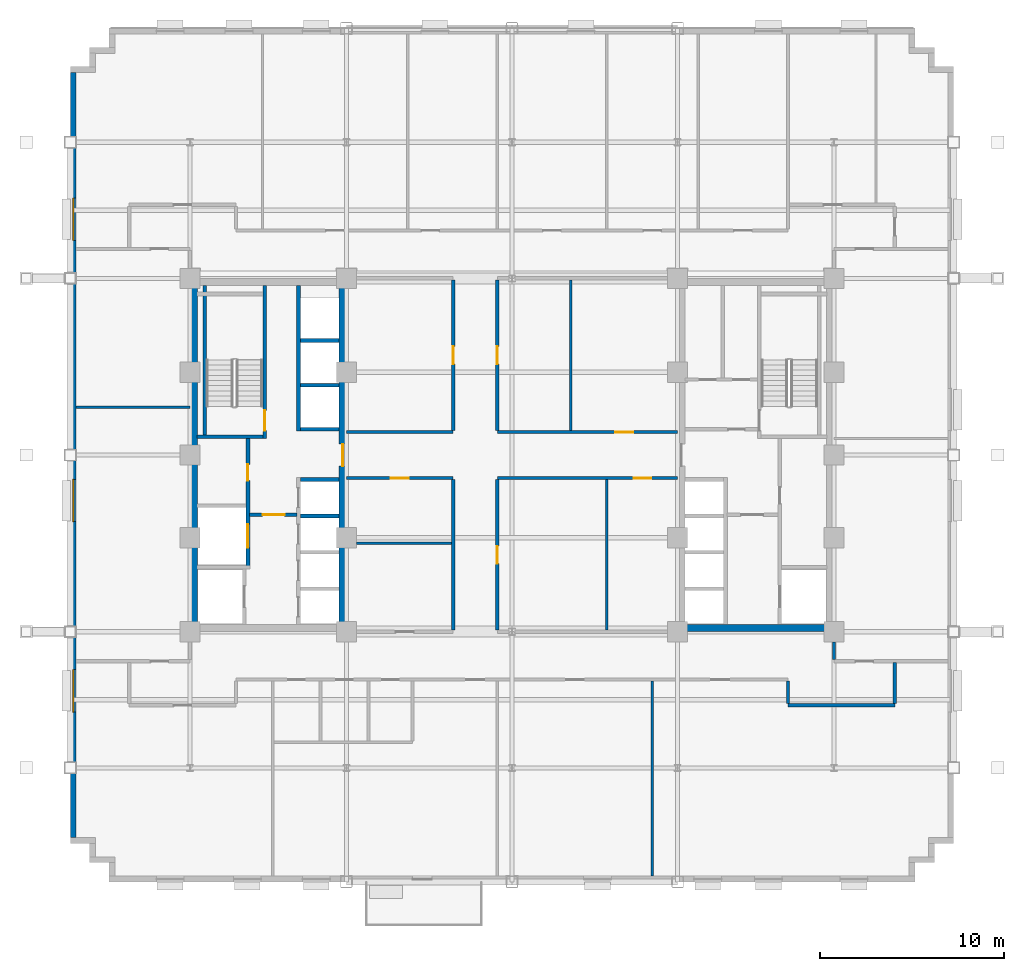
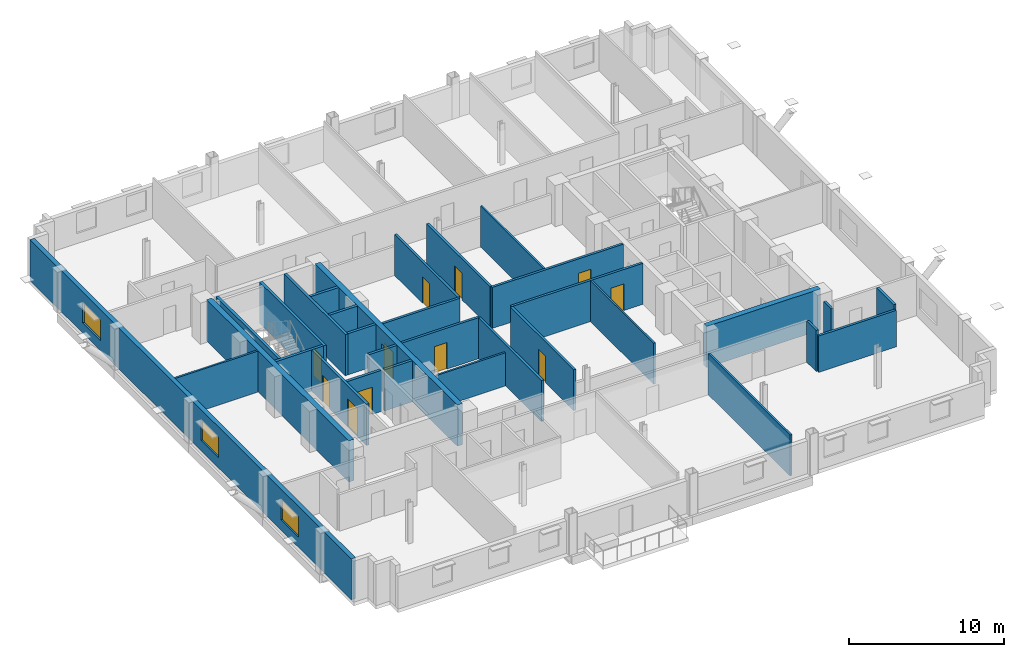
# One storey, part 7 of 14: 32 walls, 11 doors, 3 windows, 14 openings.
"""IFC4 building model written with IfcOpenShell, lengths in metres."""

from ifc_helpers import new_model, si_unit, direction, frame, frame_2d, origin, place, context, subcontext, project, spatial, rectangle, extrude, source, transform, mapped, material, layer, layer_set, type_object, type_shapes, element, fill, save


model = new_model("IFC4")

# Units and contexts
model_context = context("Model", 3, precision=1e-05, world=origin(), true_north=direction((0.0, 1.0)))
body_context = subcontext(model_context, "Body", "Model", "MODEL_VIEW")
ifc_project = project(units=[si_unit("LENGTHUNIT", "METRE"), si_unit("AREAUNIT", "SQUARE_METRE"), si_unit("VOLUMEUNIT", "CUBIC_METRE"), si_unit("PLANEANGLEUNIT", "RADIAN"), si_unit("MASSUNIT", "GRAM", prefix="KILO")], contexts=[model_context])

# Site, building, storey
site_placement = place(None, origin())
site = spatial("IfcSite", under=ifc_project, at=site_placement, CompositionType="ELEMENT")
building_placement = place(site_placement, origin())
building = spatial("IfcBuilding", under=site, at=building_placement, Name="Nuvemarco Arch Tower", CompositionType="ELEMENT")
storey_placement = place(building_placement, frame((0.0, 0.0, 112.89990234375)))
storey = spatial("IfcBuildingStorey", under=building, at=storey_placement, Name="L29", CompositionType="ELEMENT", Elevation=112.89990234375)

# Wall, openings, windows
ifc_material_1 = material(Name="Precast concrete C45/55", Category="concrete")
ifc_layer_1 = layer(ifc_material_1, 0.320068359375, Name="EW-MID-320")
ifc_layer_set_1 = layer_set([ifc_layer_1], Name="Precast concrete C45/55")
wall_type_1 = type_object("IfcWallType", Name="EW-MID-320", PredefinedType="STANDARD", material=ifc_layer_set_1)
wall_1_placement = place(storey_placement, frame((-23.840087890625, -20.783935546875, 0.0), z_axis=(0.0, 0.0, 1.0), x_axis=(0.0, 1.0, 0.0)))
wall_1 = element("IfcWall", 1, at=wall_1_placement, inside=storey, type_object=wall_type_1, Name="L29 exterior precast facade wall 16", PredefinedType="STANDARD", context=body_context, shape_type="SweptSolid", body=[
    extrude(rectangle(XDim=41.56787109375, YDim=0.320068359375, at=frame_2d((20.783935546875, 0.0))), origin(), (0.0, 0.0, 1.0), 3.239990234375),
])
opening_1_placement = place(wall_1_placement, frame((6.819091796875, 0.0, 0.800048828125)))
opening_1 = element("IfcOpeningElement", 2, at=opening_1_placement, cuts=wall_1, Name="Opening WN-10", PredefinedType="OPENING", context=body_context, shape_type="SweptSolid", body=[
    extrude(rectangle(XDim=2.300048828125, YDim=1.6201171875, at=frame_2d((1.14990234375, 0.81005859375))), frame((0.0, 0.169921875, 0.0), z_axis=(0.0, -1.0, 0.0), x_axis=(1.0, 0.0, 0.0)), (0.0, 0.0, 1.0), 0.340087890625),
])
opening_2_placement = place(wall_1_placement, frame((17.160888671875, 0.0, 0.800048828125)))
opening_2 = element("IfcOpeningElement", 3, at=opening_2_placement, cuts=wall_1, Name="Opening WN-10", PredefinedType="OPENING", context=body_context, shape_type="SweptSolid", body=[
    extrude(rectangle(XDim=2.300048828125, YDim=1.6201171875, at=frame_2d((1.14990234375, 0.81005859375))), frame((0.0, 0.169921875, 0.0), z_axis=(0.0, -1.0, 0.0), x_axis=(1.0, 0.0, 0.0)), (0.0, 0.0, 1.0), 0.340087890625),
])
opening_3_placement = place(wall_1_placement, frame((32.448974609375, 0.0, 0.800048828125)))
opening_3 = element("IfcOpeningElement", 4, at=opening_3_placement, cuts=wall_1, Name="Opening WN-10", PredefinedType="OPENING", context=body_context, shape_type="SweptSolid", body=[
    extrude(rectangle(XDim=2.300048828125, YDim=1.6201171875, at=frame_2d((1.14990234375, 0.81005859375))), frame((0.0, 0.169921875, 0.0), z_axis=(0.0, -1.0, 0.0), x_axis=(1.0, 0.0, 0.0)), (0.0, 0.0, 1.0), 0.340087890625),
])
ifc_material_2 = material(Name="Insulated solar-control glass", Category="glass")
window_type = type_object("IfcWindowType", Name="WN-STEP-2300x1700", PartitioningType="DOUBLE_PANEL_VERTICAL", PredefinedType="WINDOW", material=ifc_material_2)
shared_shape_1 = source(origin(), body_context, "Body", "SweptSolid", [
    extrude(rectangle(XDim=2.300048828125, YDim=1.6201171875, at=frame_2d((1.14990234375, 0.81005859375))), frame((0.0, 0.030029296875, 0.0), z_axis=(0.0, -1.0, 0.0), x_axis=(1.0, 0.0, 0.0)), (0.0, 0.0, 1.0), 0.06005859375),
])
type_shapes(window_type, [shared_shape_1])
window_1_placement = place(opening_1_placement, origin())
window_1 = element("IfcWindow", 5, at=window_1_placement, inside=storey, type_object=window_type, Name="L29 punched facade window 2", OverallHeight=1.6201171875, OverallWidth=2.300048828125, PartitioningType="SINGLE_PANEL", PredefinedType="WINDOW", context=body_context, shape_type="MappedRepresentation", body=[
    mapped(shared_shape_1, transform((0.0, 0.0, 0.0), scale=1.0)),
])
fill(opening_1, window_1)
window_2_placement = place(opening_2_placement, origin())
window_2 = element("IfcWindow", 6, at=window_2_placement, inside=storey, type_object=window_type, Name="L29 punched facade window 4", OverallHeight=1.6201171875, OverallWidth=2.300048828125, PartitioningType="SINGLE_PANEL", PredefinedType="WINDOW", context=body_context, shape_type="MappedRepresentation", body=[
    mapped(shared_shape_1, transform((0.0, 0.0, 0.0), scale=1.0)),
])
fill(opening_2, window_2)
window_3_placement = place(opening_3_placement, origin())
window_3 = element("IfcWindow", 7, at=window_3_placement, inside=storey, type_object=window_type, Name="L29 punched facade window 7", OverallHeight=1.6201171875, OverallWidth=2.300048828125, PartitioningType="SINGLE_PANEL", PredefinedType="WINDOW", context=body_context, shape_type="MappedRepresentation", body=[
    mapped(shared_shape_1, transform((0.0, 0.0, 0.0), scale=1.0)),
])
fill(opening_3, window_3)

# Wall
ifc_material_3 = material(Name="Concrete C60/75", Category="concrete")
ifc_layer_2 = layer(ifc_material_3, 0.39990234375, Name="WL-CORE-400")
ifc_layer_set_2 = layer_set([ifc_layer_2], Name="Concrete C60/75")
wall_type_2 = type_object("IfcWallType", Name="WL-CORE-400", PredefinedType="SHEAR", material=ifc_layer_set_2)
wall_2_placement = place(storey_placement, frame((-17.300048828125, -9.205078125, 0.0), z_axis=(0.0, 0.0, 1.0), x_axis=(0.0, 1.0, 0.0)))
element("IfcWall", 8, at=wall_2_placement, inside=storey, type_object=wall_type_2, Name="L29 W-core shear wall W", PredefinedType="SHEAR", context=body_context, shape_type="SweptSolid", body=[
    extrude(rectangle(XDim=18.41015625, YDim=0.39990234375, at=frame_2d((9.205078125, 0.0))), origin(), (0.0, 0.0, 1.0), 3.25),
])

# Wall, opening, door
wall_3_placement = place(storey_placement, frame((-9.199951171875, -9.205078125, 0.0), z_axis=(0.0, 0.0, 1.0), x_axis=(0.0, 1.0, 0.0)))
wall_3 = element("IfcWall", 9, at=wall_3_placement, inside=storey, type_object=wall_type_2, Name="L29 W-core shear wall E", PredefinedType="SHEAR", context=body_context, shape_type="SweptSolid", body=[
    extrude(rectangle(XDim=18.41015625, YDim=0.39990234375, at=frame_2d((9.205078125, 0.0))), origin(), (0.0, 0.0, 1.0), 3.25),
])
opening_4_placement = place(wall_3_placement, frame((8.60498046875, 0.0, 0.0)))
opening_4 = element("IfcOpeningElement", 10, at=opening_4_placement, cuts=wall_3, Name="Opening FD-2", PredefinedType="OPENING", context=body_context, shape_type="SweptSolid", body=[
    extrude(rectangle(XDim=1.199951171875, YDim=2.14990234375, at=frame_2d((0.60009765625, 1.074951171875))), frame((0.0, 0.2099609375, 0.0), z_axis=(0.0, -1.0, 0.0), x_axis=(1.0, 0.0, 0.0)), (0.0, 0.0, 1.0), 0.419921875),
])
ifc_material_4 = material(Name="Anodised steel fire door", Category="steel")
door_type_1 = type_object("IfcDoorType", Name="DR-FFLOB-FD", OperationType="NOTDEFINED", PredefinedType="DOOR", material=ifc_material_4)
shared_shape_2 = source(origin(), body_context, "Body", "SweptSolid", [
    extrude(rectangle(XDim=1.199951171875, YDim=2.14990234375, at=frame_2d((0.60009765625, 1.074951171875))), frame((0.0, 0.02490234375, 0.0), z_axis=(0.0, -1.0, 0.0), x_axis=(1.0, 0.0, 0.0)), (0.0, 0.0, 1.0), 0.050048828125),
])
type_shapes(door_type_1, [shared_shape_2])
door_1_placement = place(opening_4_placement, origin())
door_1 = element("IfcDoor", 11, at=door_1_placement, inside=storey, type_object=door_type_1, Name="L29 door FD-L29-WCORE-E", OperationType="SINGLE_SWING_LEFT", OverallHeight=2.14990234375, OverallWidth=1.199951171875, PredefinedType="DOOR", context=body_context, shape_type="MappedRepresentation", body=[
    mapped(shared_shape_2, transform((0.0, 0.0, 0.0), scale=1.0)),
])
fill(opening_4, door_1)

# Walls
wall_4_placement = place(storey_placement, frame((9.0, -9.39990234375, 0.0), z_axis=(0.0, 0.0, 1.0), x_axis=(1.0, 0.0, 0.0)))
element("IfcWall", 12, at=wall_4_placement, inside=storey, type_object=wall_type_2, Name="L29 E-core shear wall S", PredefinedType="SHEAR", context=body_context, shape_type="SweptSolid", body=[
    extrude(rectangle(XDim=8.5, YDim=0.39990234375, at=frame_2d((4.25, 0.0))), origin(), (0.0, 0.0, 1.0), 3.25),
])
ifc_material_5 = material(Name="Fire-rated gypsum drywall partition")
ifc_layer_3 = layer(ifc_material_5, 0.179931640625, Name="WL-CORR-180")
ifc_layer_set_3 = layer_set([ifc_layer_3], Name="Fire-rated gypsum drywall partition")
wall_type_3 = type_object("IfcWallType", Name="WL-CORR-180", PredefinedType="PARTITIONING", material=ifc_layer_set_3)
wall_5_placement = place(storey_placement, frame((15.0, -13.60009765625, 0.0), z_axis=(0.0, 0.0, 1.0), x_axis=(1.0, 0.0, 0.0)))
element("IfcWall", 13, at=wall_5_placement, inside=storey, type_object=wall_type_3, Name="L29 interior wall IW-L29-003", PredefinedType="PARTITIONING", context=body_context, shape_type="SweptSolid", body=[
    extrude(rectangle(XDim=5.800048828125, YDim=0.179931640625, at=frame_2d((2.89990234375, 0.0))), origin(), (0.0, 0.0, 1.0), 2.878173828125),
])

# Wall, opening, door
wall_6_placement = place(storey_placement, frame((-9.0, -1.25, 0.0), z_axis=(0.0, 0.0, 1.0), x_axis=(1.0, 0.0, 0.0)))
wall_6 = element("IfcWall", 14, at=wall_6_placement, inside=storey, type_object=wall_type_3, Name="L29 interior wall IW-L29-011", PredefinedType="PARTITIONING", context=body_context, shape_type="SweptSolid", body=[
    extrude(rectangle(XDim=5.800048828125, YDim=0.179931640625, at=frame_2d((2.89990234375, 0.0))), origin(), (0.0, 0.0, 1.0), 3.239990234375),
])
opening_5_placement = place(wall_6_placement, frame((2.419921875, 0.0, 0.0)))
opening_5 = element("IfcOpeningElement", 15, at=opening_5_placement, cuts=wall_6, Name="Opening FD-5", PredefinedType="OPENING", context=body_context, shape_type="SweptSolid", body=[
    extrude(rectangle(XDim=0.9599609375, YDim=2.10009765625, at=frame_2d((0.47998046875, 1.050048828125))), frame((0.0, 0.099853515625, 0.0), z_axis=(0.0, -1.0, 0.0), x_axis=(1.0, 0.0, 0.0)), (0.0, 0.0, 1.0), 0.199951171875),
])
ifc_material_6 = material(Name="Timber fire door", Category="wood")
door_type_2 = type_object("IfcDoorType", Name="DR-CORR-FD", OperationType="NOTDEFINED", PredefinedType="DOOR", material=ifc_material_6)
shared_shape_3 = source(origin(), body_context, "Body", "SweptSolid", [
    extrude(rectangle(XDim=0.9599609375, YDim=2.10009765625, at=frame_2d((0.47998046875, 1.050048828125))), frame((0.0, 0.02490234375, 0.0), z_axis=(0.0, -1.0, 0.0), x_axis=(1.0, 0.0, 0.0)), (0.0, 0.0, 1.0), 0.050048828125),
])
type_shapes(door_type_2, [shared_shape_3])
door_2_placement = place(opening_5_placement, origin())
door_2 = element("IfcDoor", 16, at=door_2_placement, inside=storey, type_object=door_type_2, Name="L29 door DR-L29-C_SW1", OperationType="SINGLE_SWING_LEFT", OverallHeight=2.10009765625, OverallWidth=0.9599609375, PredefinedType="DOOR", context=body_context, shape_type="MappedRepresentation", body=[
    mapped(shared_shape_3, transform((0.0, 0.0, 0.0), scale=1.0)),
])
fill(opening_5, door_2)

wall_7_placement = place(storey_placement, frame((-0.800048828125, -1.25, 0.0), z_axis=(0.0, 0.0, 1.0), x_axis=(1.0, 0.0, 0.0)))
wall_7 = element("IfcWall", 17, at=wall_7_placement, inside=storey, type_object=wall_type_3, Name="L29 interior wall IW-L29-012", PredefinedType="PARTITIONING", context=body_context, shape_type="SweptSolid", body=[
    extrude(rectangle(XDim=9.800048828125, YDim=0.179931640625, at=frame_2d((4.89990234375, 0.0))), origin(), (0.0, 0.0, 1.0), 3.239990234375),
])
opening_6_placement = place(wall_7_placement, frame((7.419921875, 0.0, 0.0)))
opening_6 = element("IfcOpeningElement", 18, at=opening_6_placement, cuts=wall_7, Name="Opening FD-5", PredefinedType="OPENING", context=body_context, shape_type="SweptSolid", body=[
    extrude(rectangle(XDim=0.9599609375, YDim=2.10009765625, at=frame_2d((0.47998046875, 1.050048828125))), frame((0.0, 0.099853515625, 0.0), z_axis=(0.0, -1.0, 0.0), x_axis=(1.0, 0.0, 0.0)), (0.0, 0.0, 1.0), 0.199951171875),
])
door_3_placement = place(opening_6_placement, origin())
door_3 = element("IfcDoor", 19, at=door_3_placement, inside=storey, type_object=door_type_2, Name="L29 door DR-L29-C_SE2", OperationType="SINGLE_SWING_LEFT", OverallHeight=2.10009765625, OverallWidth=0.9599609375, PredefinedType="DOOR", context=body_context, shape_type="MappedRepresentation", body=[
    mapped(shared_shape_3, transform((0.0, 0.0, 0.0), scale=1.0)),
])
fill(opening_6, door_3)

# Wall
wall_8_placement = place(storey_placement, frame((-9.0, 1.25, 0.0), z_axis=(0.0, 0.0, 1.0), x_axis=(1.0, 0.0, 0.0)))
element("IfcWall", 20, at=wall_8_placement, inside=storey, type_object=wall_type_3, Name="L29 interior wall IW-L29-014", PredefinedType="PARTITIONING", context=body_context, shape_type="SweptSolid", body=[
    extrude(rectangle(XDim=5.800048828125, YDim=0.179931640625, at=frame_2d((2.89990234375, 0.0))), origin(), (0.0, 0.0, 1.0), 3.239990234375),
])

# Wall, opening, door
wall_9_placement = place(storey_placement, frame((-0.800048828125, 1.25, 0.0), z_axis=(0.0, 0.0, 1.0), x_axis=(1.0, 0.0, 0.0)))
wall_9 = element("IfcWall", 21, at=wall_9_placement, inside=storey, type_object=wall_type_3, Name="L29 interior wall IW-L29-015", PredefinedType="PARTITIONING", context=body_context, shape_type="SweptSolid", body=[
    extrude(rectangle(XDim=9.800048828125, YDim=0.179931640625, at=frame_2d((4.89990234375, 0.0))), origin(), (0.0, 0.0, 1.0), 3.239990234375),
])
opening_7_placement = place(wall_9_placement, frame((6.419921875, 0.0, 0.0)))
opening_7 = element("IfcOpeningElement", 22, at=opening_7_placement, cuts=wall_9, Name="Opening FD-5", PredefinedType="OPENING", context=body_context, shape_type="SweptSolid", body=[
    extrude(rectangle(XDim=0.9599609375, YDim=2.10009765625, at=frame_2d((0.47998046875, 1.050048828125))), frame((0.0, 0.099853515625, 0.0), z_axis=(0.0, -1.0, 0.0), x_axis=(1.0, 0.0, 0.0)), (0.0, 0.0, 1.0), 0.199951171875),
])
door_4_placement = place(opening_7_placement, origin())
door_4 = element("IfcDoor", 23, at=door_4_placement, inside=storey, type_object=door_type_2, Name="L29 door DR-L29-C_NE2", OperationType="SINGLE_SWING_RIGHT", OverallHeight=2.10009765625, OverallWidth=0.9599609375, PredefinedType="DOOR", context=body_context, shape_type="MappedRepresentation", body=[
    mapped(shared_shape_3, transform((0.0, 0.0, 0.0), scale=1.0)),
])
fill(opening_7, door_4)

# Wall
wall_10_placement = place(storey_placement, frame((-3.199951171875, -9.513916015625, 0.0), z_axis=(0.0, 0.0, 1.0), x_axis=(0.0, 1.0, 0.0)))
element("IfcWall", 24, at=wall_10_placement, inside=storey, type_object=wall_type_3, Name="L29 interior wall IW-L29-037", PredefinedType="PARTITIONING", context=body_context, shape_type="SweptSolid", body=[
    extrude(rectangle(XDim=8.177978515625, YDim=0.179931640625, at=frame_2d((4.0888671875, 0.0))), origin(), (0.0, 0.0, 1.0), 3.239990234375),
])

# Wall, opening, door
wall_11_placement = place(storey_placement, frame((-3.199951171875, 1.3359375, 0.0), z_axis=(0.0, 0.0, 1.0), x_axis=(0.0, 1.0, 0.0)))
wall_11 = element("IfcWall", 25, at=wall_11_placement, inside=storey, type_object=wall_type_3, Name="L29 interior wall IW-L29-038", PredefinedType="PARTITIONING", context=body_context, shape_type="SweptSolid", body=[
    extrude(rectangle(XDim=8.177978515625, YDim=0.179931640625, at=frame_2d((4.0888671875, 0.0))), origin(), (0.0, 0.0, 1.0), 3.239990234375),
])
opening_8_placement = place(wall_11_placement, frame((3.60888671875, 0.0, 0.0)))
opening_8 = element("IfcOpeningElement", 26, at=opening_8_placement, cuts=wall_11, Name="Opening FD-5", PredefinedType="OPENING", context=body_context, shape_type="SweptSolid", body=[
    extrude(rectangle(XDim=0.9599609375, YDim=2.10009765625, at=frame_2d((0.47998046875, 1.050048828125))), frame((0.0, 0.099853515625, 0.0), z_axis=(0.0, -1.0, 0.0), x_axis=(1.0, 0.0, 0.0)), (0.0, 0.0, 1.0), 0.199951171875),
])
door_5_placement = place(opening_8_placement, origin())
door_5 = element("IfcDoor", 27, at=door_5_placement, inside=storey, type_object=door_type_2, Name="L29 door DR-L29-C_NW", OperationType="SINGLE_SWING_LEFT", OverallHeight=2.10009765625, OverallWidth=0.9599609375, PredefinedType="DOOR", context=body_context, shape_type="MappedRepresentation", body=[
    mapped(shared_shape_3, transform((0.0, 0.0, 0.0), scale=1.0)),
])
fill(opening_8, door_5)

wall_12_placement = place(storey_placement, frame((-0.800048828125, -9.513916015625, 0.0), z_axis=(0.0, 0.0, 1.0), x_axis=(0.0, 1.0, 0.0)))
wall_12 = element("IfcWall", 28, at=wall_12_placement, inside=storey, type_object=wall_type_3, Name="L29 interior wall IW-L29-040", PredefinedType="PARTITIONING", context=body_context, shape_type="SweptSolid", body=[
    extrude(rectangle(XDim=8.177978515625, YDim=0.179931640625, at=frame_2d((4.0888671875, 0.0))), origin(), (0.0, 0.0, 1.0), 3.239990234375),
])
opening_9_placement = place(wall_12_placement, frame((3.60888671875, 0.0, 0.0)))
opening_9 = element("IfcOpeningElement", 29, at=opening_9_placement, cuts=wall_12, Name="Opening FD-5", PredefinedType="OPENING", context=body_context, shape_type="SweptSolid", body=[
    extrude(rectangle(XDim=0.9599609375, YDim=2.10009765625, at=frame_2d((0.47998046875, 1.050048828125))), frame((0.0, 0.099853515625, 0.0), z_axis=(0.0, -1.0, 0.0), x_axis=(1.0, 0.0, 0.0)), (0.0, 0.0, 1.0), 0.199951171875),
])
door_6_placement = place(opening_9_placement, origin())
door_6 = element("IfcDoor", 30, at=door_6_placement, inside=storey, type_object=door_type_2, Name="L29 door DR-L29-C_SE1", OperationType="SINGLE_SWING_LEFT", OverallHeight=2.10009765625, OverallWidth=0.9599609375, PredefinedType="DOOR", context=body_context, shape_type="MappedRepresentation", body=[
    mapped(shared_shape_3, transform((0.0, 0.0, 0.0), scale=1.0)),
])
fill(opening_9, door_6)

wall_13_placement = place(storey_placement, frame((-0.800048828125, 1.3359375, 0.0), z_axis=(0.0, 0.0, 1.0), x_axis=(0.0, 1.0, 0.0)))
wall_13 = element("IfcWall", 31, at=wall_13_placement, inside=storey, type_object=wall_type_3, Name="L29 interior wall IW-L29-041", PredefinedType="PARTITIONING", context=body_context, shape_type="SweptSolid", body=[
    extrude(rectangle(XDim=8.177978515625, YDim=0.179931640625, at=frame_2d((4.0888671875, 0.0))), origin(), (0.0, 0.0, 1.0), 3.239990234375),
])
opening_10_placement = place(wall_13_placement, frame((3.60888671875, 0.0, 0.0)))
opening_10 = element("IfcOpeningElement", 32, at=opening_10_placement, cuts=wall_13, Name="Opening FD-5", PredefinedType="OPENING", context=body_context, shape_type="SweptSolid", body=[
    extrude(rectangle(XDim=0.9599609375, YDim=2.10009765625, at=frame_2d((0.47998046875, 1.050048828125))), frame((0.0, 0.099853515625, 0.0), z_axis=(0.0, -1.0, 0.0), x_axis=(1.0, 0.0, 0.0)), (0.0, 0.0, 1.0), 0.199951171875),
])
door_7_placement = place(opening_10_placement, origin())
door_7 = element("IfcDoor", 33, at=door_7_placement, inside=storey, type_object=door_type_2, Name="L29 door DR-L29-C_NE1", OperationType="SINGLE_SWING_RIGHT", OverallHeight=2.10009765625, OverallWidth=0.9599609375, PredefinedType="DOOR", context=body_context, shape_type="MappedRepresentation", body=[
    mapped(shared_shape_3, transform((0.0, 0.0, 0.0), scale=1.0)),
])
fill(opening_10, door_7)

# Walls
wall_14_placement = place(storey_placement, frame((15.0, -13.513916015625, 0.0), z_axis=(0.0, 0.0, 1.0), x_axis=(0.0, 1.0, 0.0)))
element("IfcWall", 34, at=wall_14_placement, inside=storey, type_object=wall_type_3, Name="L29 interior wall IW-L29-048", PredefinedType="PARTITIONING", context=body_context, shape_type="SweptSolid", body=[
    extrude(rectangle(XDim=1.22802734375, YDim=0.179931640625, at=frame_2d((0.614013671875, 0.0))), origin(), (0.0, 0.0, 1.0), 3.239990234375),
])
wall_15_placement = place(storey_placement, frame((17.5, -11.114013671875, 0.0), z_axis=(0.0, 0.0, 1.0), x_axis=(0.0, 1.0, 0.0)))
element("IfcWall", 35, at=wall_15_placement, inside=storey, type_object=wall_type_3, Name="L29 interior wall IW-L29-050", PredefinedType="PARTITIONING", context=body_context, shape_type="SweptSolid", body=[
    extrude(rectangle(XDim=0.968017578125, YDim=0.179931640625, at=frame_2d((0.48388671875, 0.0))), origin(), (0.0, 0.0, 1.0), 2.6181640625),
])
wall_16_placement = place(storey_placement, frame((20.800048828125, -13.513916015625, 0.0), z_axis=(0.0, 0.0, 1.0), x_axis=(0.0, 1.0, 0.0)))
element("IfcWall", 36, at=wall_16_placement, inside=storey, type_object=wall_type_3, Name="L29 interior wall IW-L29-053", PredefinedType="PARTITIONING", context=body_context, shape_type="SweptSolid", body=[
    extrude(rectangle(XDim=2.22802734375, YDim=0.179931640625, at=frame_2d((1.114013671875, 0.0))), origin(), (0.0, 0.0, 1.0), 3.239990234375),
])
ifc_material_7 = material(Name="Glazed acoustic office partition")
ifc_layer_4 = layer(ifc_material_7, 0.1298828125, Name="WL-EXEC-130")
ifc_layer_set_4 = layer_set([ifc_layer_4], Name="Glazed acoustic office partition")
wall_type_4 = type_object("IfcWallType", Name="WL-EXEC-130", PredefinedType="PARTITIONING", material=ifc_layer_set_4)
for number, where, z_axis, x_axis, name in (
    (37, (3.199951171875, 1.3359375, 0.0), (0.0, 0.0, 1.0), (0.0, 1.0, 0.0), "L29 interior wall IW-L29-043"),
    (38, (5.14990234375, -9.513916015625, 0.0), (0.0, 0.0, 1.0), (0.0, 1.0, 0.0), "L29 interior wall IW-L29-044"),
):
    element("IfcWall", number, at=place(storey_placement, frame(where, z_axis=z_axis, x_axis=x_axis)), inside=storey, type_object=wall_type_4, Name=name, PredefinedType="PARTITIONING", context=body_context, shape_type="SweptSolid", body=[
        extrude(rectangle(XDim=8.177978515625, YDim=0.1298828125, at=frame_2d((4.0888671875, 0.0))), origin(), (0.0, 0.0, 1.0), 3.239990234375),
    ])
ifc_material_8 = material(Name="Gypsum plasterboard partition")
ifc_layer_5 = layer(ifc_material_8, 0.139892578125, Name="WL-ROOM-140")
ifc_layer_set_5 = layer_set([ifc_layer_5], Name="Gypsum plasterboard partition")
wall_type_5 = type_object("IfcWallType", Name="WL-ROOM-140", PredefinedType="PARTITIONING", material=ifc_layer_set_5)
wall_17_placement = place(storey_placement, frame((-8.4541015625, -4.800048828125, 0.0), z_axis=(0.0, 0.0, 1.0), x_axis=(1.0, 0.0, 0.0)))
element("IfcWall", 39, at=wall_17_placement, inside=storey, type_object=wall_type_5, Name="L29 interior wall IW-L29-010", PredefinedType="PARTITIONING", context=body_context, shape_type="SweptSolid", body=[
    extrude(rectangle(XDim=5.168212890625, YDim=0.139892578125, at=frame_2d((2.583984375, 0.0))), origin(), (0.0, 0.0, 1.0), 2.6181640625),
])
wall_18_placement = place(storey_placement, frame((-23.679931640625, 2.60009765625, 0.0), z_axis=(0.0, 0.0, 1.0), x_axis=(1.0, 0.0, 0.0)))
element("IfcWall", 40, at=wall_18_placement, inside=storey, type_object=wall_type_5, Name="L29 interior wall IW-L29-016", PredefinedType="PARTITIONING", context=body_context, shape_type="SweptSolid", body=[
    extrude(rectangle(XDim=6.179931640625, YDim=0.139892578125, at=frame_2d((3.08984375, 0.0))), origin(), (0.0, 0.0, 1.0), 3.239990234375),
])
wall_19_placement = place(storey_placement, frame((7.6298828125, -22.8798828125, 0.0), z_axis=(0.0, 0.0, 1.0), x_axis=(0.0, 1.0, 0.0)))
element("IfcWall", 41, at=wall_19_placement, inside=storey, type_object=wall_type_5, Name="L29 interior wall IW-L29-046", PredefinedType="PARTITIONING", context=body_context, shape_type="SweptSolid", body=[
    extrude(rectangle(XDim=10.593994140625, YDim=0.139892578125, at=frame_2d((5.296875, 0.0))), origin(), (0.0, 0.0, 1.0), 3.239990234375),
])

# Wall, opening, door
ifc_material_9 = material(Name="Concrete C50/60", Category="concrete")
ifc_layer_6 = layer(ifc_material_9, 0.199951171875, Name="WL-SHAFT-220")
ifc_layer_set_6 = layer_set([ifc_layer_6], Name="Concrete C50/60")
wall_type_6 = type_object("IfcWallType", Name="WL-SHAFT-220", PredefinedType="SHEAR", material=ifc_layer_set_6)
wall_20_placement = place(storey_placement, frame((-13.43994140625, 0.89990234375, 0.0), z_axis=(0.0, 0.0, 1.0), x_axis=(0.0, 1.0, 0.0)))
wall_20 = element("IfcWall", 42, at=wall_20_placement, inside=storey, type_object=wall_type_6, Name="L29 structural shaft wall SW-L29-W-ST1E", PredefinedType="SHEAR", context=body_context, shape_type="SweptSolid", body=[
    extrude(rectangle(XDim=8.30517578125, YDim=0.199951171875, at=frame_2d((4.152587890625, 0.0))), origin(), (0.0, 0.0, 1.0), 3.25),
])
opening_11_placement = place(wall_20_placement, frame((1.530029296875, 0.0, 0.0), z_axis=(0.0, 0.0, 1.0), x_axis=(-1.0, 0.0, 0.0)))
opening_11 = element("IfcOpeningElement", 43, at=opening_11_placement, cuts=wall_20, Name="Opening FD-1", PredefinedType="OPENING", context=body_context, shape_type="SweptSolid", body=[
    extrude(rectangle(XDim=1.10009765625, YDim=2.14990234375, at=frame_2d((0.550048828125, 1.074951171875))), frame((0.0, 0.10986328125, 0.0), z_axis=(0.0, -1.0, 0.0), x_axis=(1.0, 0.0, 0.0)), (0.0, 0.0, 1.0), 0.219970703125),
])
door_type_3 = type_object("IfcDoorType", Name="DR-STAIR-FD", OperationType="NOTDEFINED", PredefinedType="DOOR", material=ifc_material_4)
shared_shape_4 = source(origin(), body_context, "Body", "SweptSolid", [
    extrude(rectangle(XDim=1.10009765625, YDim=2.14990234375, at=frame_2d((0.550048828125, 1.074951171875))), frame((0.0, 0.02490234375, 0.0), z_axis=(0.0, -1.0, 0.0), x_axis=(1.0, 0.0, 0.0)), (0.0, 0.0, 1.0), 0.050048828125),
])
type_shapes(door_type_3, [shared_shape_4])
door_8_placement = place(opening_11_placement, origin())
door_8 = element("IfcDoor", 44, at=door_8_placement, inside=storey, type_object=door_type_3, Name="L29 door FD-L29-ST1", OperationType="SINGLE_SWING_LEFT", OverallHeight=2.14990234375, OverallWidth=1.10009765625, PredefinedType="DOOR", context=body_context, shape_type="MappedRepresentation", body=[
    mapped(shared_shape_4, transform((0.0, 0.0, 0.0), scale=1.0)),
])
fill(opening_11, door_8)

# Walls
wall_21_placement = place(storey_placement, frame((-17.10498046875, 1.0, 0.0), z_axis=(0.0, 0.0, 1.0), x_axis=(1.0, 0.0, 0.0)))
element("IfcWall", 45, at=wall_21_placement, inside=storey, type_object=wall_type_6, Name="L29 structural shaft wall SW-L29-W-ST1S", PredefinedType="SHEAR", context=body_context, shape_type="SweptSolid", body=[
    extrude(rectangle(XDim=3.570068359375, YDim=0.199951171875, at=frame_2d((1.78515625, 0.0))), origin(), (0.0, 0.0, 1.0), 3.25),
])
wall_22_placement = place(storey_placement, frame((-16.699951171875, 1.094970703125, 0.0), z_axis=(0.0, 0.0, 1.0), x_axis=(0.0, 1.0, 0.0)))
element("IfcWall", 46, at=wall_22_placement, inside=storey, type_object=wall_type_6, Name="L29 structural shaft wall SW-L29-W-ST1W", PredefinedType="SHEAR", context=body_context, shape_type="SweptSolid", body=[
    extrude(rectangle(XDim=8.110107421875, YDim=0.199951171875, at=frame_2d((4.05517578125, 0.0))), origin(), (0.0, 0.0, 1.0), 3.25),
])

# Wall, openings, doors
wall_23_placement = place(storey_placement, frame((-14.35009765625, -6.199951171875, 0.0), z_axis=(0.0, 0.0, 1.0), x_axis=(0.0, 1.0, 0.0)))
wall_23 = element("IfcWall", 47, at=wall_23_placement, inside=storey, type_object=wall_type_6, Name="L29 structural shaft wall SW-L29-W-SVE", PredefinedType="SHEAR", context=body_context, shape_type="SweptSolid", body=[
    extrude(rectangle(XDim=7.10498046875, YDim=0.199951171875, at=frame_2d((3.552490234375, 0.0))), origin(), (0.0, 0.0, 1.0), 3.25),
])
opening_12_placement = place(wall_23_placement, frame((5.68994140625, 0.0, 0.0), z_axis=(0.0, 0.0, 1.0), x_axis=(-1.0, 0.0, 0.0)))
opening_12 = element("IfcOpeningElement", 48, at=opening_12_placement, cuts=wall_23, Name="Opening FD-4", PredefinedType="OPENING", context=body_context, shape_type="SweptSolid", body=[
    extrude(rectangle(XDim=0.8798828125, YDim=2.10009765625, at=frame_2d((0.43994140625, 1.050048828125))), frame((0.0, 0.10986328125, 0.0), z_axis=(0.0, -1.0, 0.0), x_axis=(1.0, 0.0, 0.0)), (0.0, 0.0, 1.0), 0.219970703125),
])
opening_13_placement = place(wall_23_placement, frame((1.14990234375, 0.0, 0.0)))
opening_13 = element("IfcOpeningElement", 49, at=opening_13_placement, cuts=wall_23, Name="Opening LD-3", PredefinedType="OPENING", context=body_context, shape_type="SweptSolid", body=[
    extrude(rectangle(XDim=1.300048828125, YDim=2.199951171875, at=frame_2d((0.64990234375, 1.10009765625))), frame((0.0, 0.10986328125, 0.0), z_axis=(0.0, -1.0, 0.0), x_axis=(1.0, 0.0, 0.0)), (0.0, 0.0, 1.0), 0.219970703125),
])
door_type_4 = type_object("IfcDoorType", Name="DR-RISER-FD", OperationType="NOTDEFINED", PredefinedType="DOOR", material=ifc_material_4)
shared_shape_5 = source(origin(), body_context, "Body", "SweptSolid", [
    extrude(rectangle(XDim=0.8798828125, YDim=2.10009765625, at=frame_2d((0.43994140625, 1.050048828125))), frame((0.0, 0.02490234375, 0.0), z_axis=(0.0, -1.0, 0.0), x_axis=(1.0, 0.0, 0.0)), (0.0, 0.0, 1.0), 0.050048828125),
])
type_shapes(door_type_4, [shared_shape_5])
door_9_placement = place(opening_12_placement, origin())
door_9 = element("IfcDoor", 50, at=door_9_placement, inside=storey, type_object=door_type_4, Name="L29 door FD-L29-WRIS", OperationType="SINGLE_SWING_LEFT", OverallHeight=2.10009765625, OverallWidth=0.8798828125, PredefinedType="DOOR", context=body_context, shape_type="MappedRepresentation", body=[
    mapped(shared_shape_5, transform((0.0, 0.0, 0.0), scale=1.0)),
])
fill(opening_12, door_9)
ifc_material_10 = material(Name="Stainless steel lift door", Category="steel")
door_type_5 = type_object("IfcDoorType", Name="DR-LIFT-SERV", OperationType="DOUBLE_DOOR_SLIDING", PredefinedType="DOOR", material=ifc_material_10)
shared_shape_6 = source(origin(), body_context, "Body", "SweptSolid", [
    extrude(rectangle(XDim=1.300048828125, YDim=2.199951171875, at=frame_2d((0.64990234375, 1.10009765625))), frame((0.0, 0.02490234375, 0.0), z_axis=(0.0, -1.0, 0.0), x_axis=(1.0, 0.0, 0.0)), (0.0, 0.0, 1.0), 0.050048828125),
])
type_shapes(door_type_5, [shared_shape_6])
door_10_placement = place(opening_13_placement, origin())
door_10 = element("IfcDoor", 51, at=door_10_placement, inside=storey, type_object=door_type_5, Name="L29 Lift landing sliding door SVL-1", OperationType="DOUBLE_DOOR_SLIDING", OverallHeight=2.199951171875, OverallWidth=1.300048828125, PredefinedType="DOOR", context=body_context, shape_type="MappedRepresentation", body=[
    mapped(shared_shape_6, transform((0.0, 0.0, 0.0), scale=1.0)),
])
fill(opening_13, door_10)

# Wall, opening, door
wall_24_placement = place(storey_placement, frame((-14.2548828125, -3.25, 0.0), z_axis=(0.0, 0.0, 1.0), x_axis=(1.0, 0.0, 0.0)))
wall_24 = element("IfcWall", 52, at=wall_24_placement, inside=storey, type_object=wall_type_6, Name="L29 structural shaft wall SW-L29-W-FFN", PredefinedType="SHEAR", context=body_context, shape_type="SweptSolid", body=[
    extrude(rectangle(XDim=2.559814453125, YDim=0.199951171875, at=frame_2d((1.27978515625, 0.0))), origin(), (0.0, 0.0, 1.0), 3.25),
])
opening_14_placement = place(wall_24_placement, frame((0.705078125, 0.0, 0.0)))
opening_14 = element("IfcOpeningElement", 53, at=opening_14_placement, cuts=wall_24, Name="Opening FD-2", PredefinedType="OPENING", context=body_context, shape_type="SweptSolid", body=[
    extrude(rectangle(XDim=1.199951171875, YDim=2.14990234375, at=frame_2d((0.60009765625, 1.074951171875))), frame((0.0, 0.10986328125, 0.0), z_axis=(0.0, -1.0, 0.0), x_axis=(1.0, 0.0, 0.0)), (0.0, 0.0, 1.0), 0.219970703125),
])
door_11_placement = place(opening_14_placement, origin())
door_11 = element("IfcDoor", 54, at=door_11_placement, inside=storey, type_object=door_type_1, Name="L29 door FD-L29-WFF1", OperationType="SINGLE_SWING_LEFT", OverallHeight=2.14990234375, OverallWidth=1.199951171875, PredefinedType="DOOR", context=body_context, shape_type="MappedRepresentation", body=[
    mapped(shared_shape_2, transform((0.0, 0.0, 0.0), scale=1.0)),
])
fill(opening_14, door_11)

# Walls
for number, where, z_axis, x_axis, name in (
    (55, (-11.5048828125, -3.31005859375, 0.0), (0.0, 0.0, 1.0), (1.0, 0.0, 0.0), "L29 structural shaft wall SW-L29-W-PLD3"),
    (56, (-11.5048828125, -1.330078125, 0.0), (0.0, 0.0, 1.0), (1.0, 0.0, 0.0), "L29 structural shaft wall SW-L29-W-PLD4"),
):
    element("IfcWall", number, at=place(storey_placement, frame(where, z_axis=z_axis, x_axis=x_axis)), inside=storey, type_object=wall_type_6, Name=name, PredefinedType="SHEAR", context=body_context, shape_type="SweptSolid", body=[
        extrude(rectangle(XDim=2.10986328125, YDim=0.199951171875, at=frame_2d((1.054931640625, 0.0))), origin(), (0.0, 0.0, 1.0), 3.25),
    ])
wall_25_placement = place(storey_placement, frame((-11.60009765625, 1.300048828125, 0.0), z_axis=(0.0, 0.0, 1.0), x_axis=(0.0, 1.0, 0.0)))
element("IfcWall", 57, at=wall_25_placement, inside=storey, type_object=wall_type_6, Name="L29 structural shaft wall SW-L29-W-PHW", PredefinedType="SHEAR", context=body_context, shape_type="SweptSolid", body=[
    extrude(rectangle(XDim=7.905029296875, YDim=0.199951171875, at=frame_2d((3.95263671875, 0.0))), origin(), (0.0, 0.0, 1.0), 3.25),
])
for number, where, z_axis, x_axis, name in (
    (58, (-11.5048828125, 1.39990234375, 0.0), (0.0, 0.0, 1.0), (1.0, 0.0, 0.0), "L29 structural shaft wall SW-L29-W-PHD1"),
    (59, (-11.5048828125, 3.800048828125, 0.0), (0.0, 0.0, 1.0), (1.0, 0.0, 0.0), "L29 structural shaft wall SW-L29-W-PHD2"),
    (60, (-11.5048828125, 6.219970703125, 0.0), (0.0, 0.0, 1.0), (1.0, 0.0, 0.0), "L29 structural shaft wall SW-L29-W-PHD3"),
):
    element("IfcWall", number, at=place(storey_placement, frame(where, z_axis=z_axis, x_axis=x_axis)), inside=storey, type_object=wall_type_6, Name=name, PredefinedType="SHEAR", context=body_context, shape_type="SweptSolid", body=[
        extrude(rectangle(XDim=2.10986328125, YDim=0.199951171875, at=frame_2d((1.054931640625, 0.0))), origin(), (0.0, 0.0, 1.0), 3.25),
    ])

save(model, "model.ifc")
